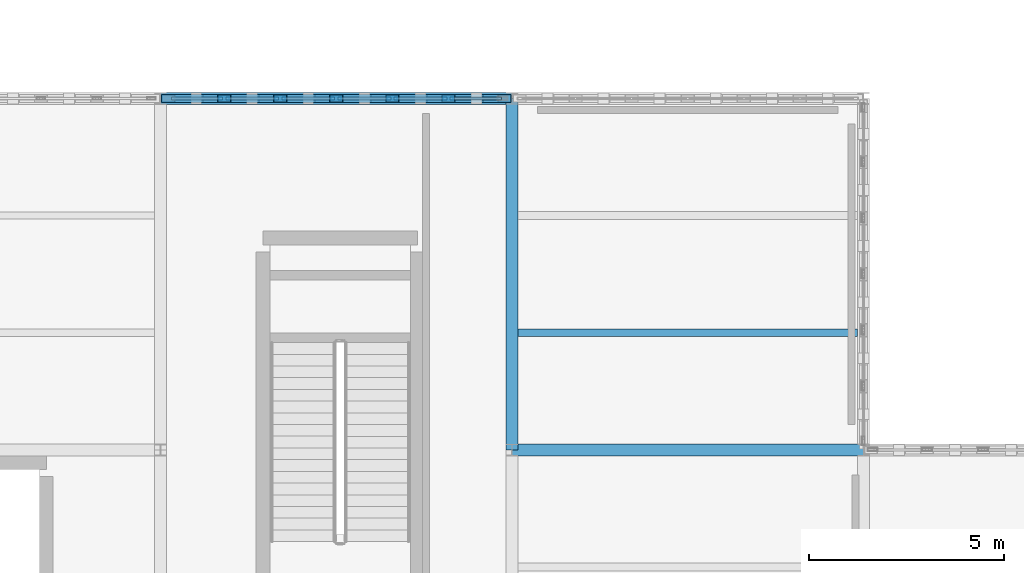
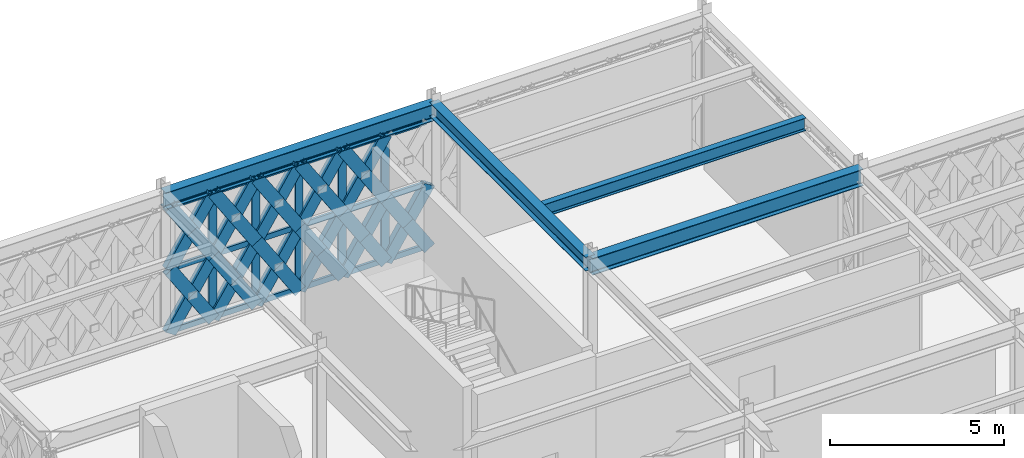
# One storey, part 110 of 155: 56 members, 4 beams, 1 element without a shape of its own.
"""IFC4 building model written with IfcOpenShell, lengths in metres."""

from ifc_helpers import new_model, si_unit, direction, frame, origin, origin_2d, place, context, subcontext, project, spatial, hollow_rectangle, i_section, extrude, material, material_profile, profile_set, type_object, element, aggregate, save


model = new_model("IFC4")

# Units and contexts
model_context = context("Model", 3, precision=1e-05, world=origin(), true_north=direction((0.0, 1.0)))
body_context = subcontext(model_context, "Body", "Model", "MODEL_VIEW")
ifc_project = project(units=[si_unit("LENGTHUNIT", "METRE"), si_unit("AREAUNIT", "SQUARE_METRE"), si_unit("VOLUMEUNIT", "CUBIC_METRE"), si_unit("PLANEANGLEUNIT", "RADIAN"), si_unit("MASSUNIT", "GRAM", prefix="KILO")], contexts=[model_context])

# Site, building, storey
site_placement = place(None, origin())
site = spatial("IfcSite", under=ifc_project, at=site_placement, CompositionType="ELEMENT")
building_placement = place(site_placement, origin())
building = spatial("IfcBuilding", under=site, at=building_placement, Name="Haizhuo Lancet Aquarium", CompositionType="ELEMENT")
storey_placement = place(building_placement, frame((0.0, 0.0, 10.800048828125)))
storey = spatial("IfcBuildingStorey", under=building, at=storey_placement, Name="L02", CompositionType="ELEMENT", Elevation=10.800048828125)

# Beams
ifc_material_1 = material(Name="Steel S355", Category="steel")
ifc_material_profile_1 = material_profile(ifc_material_1, i_section(OverallWidth=0.300048828125, OverallDepth=0.488037109375, WebThickness=0.010986328125, FlangeThickness=0.01806640625, FilletRadius=0.02392578125, at=origin_2d()), Name="HM 488x300x11x18")
ifc_profile_set_1 = profile_set([ifc_material_profile_1], Name="Steel S355")
beam_type_1 = type_object("IfcBeamType", Name="BM-ST-HM488", PredefinedType="BEAM", material=ifc_profile_set_1)
beam_1_placement = place(storey_placement, frame((54.0, 27.0, 4.805908203125), z_axis=(0.0, 1.0, 0.0), x_axis=(-1.0, 0.0, 0.0)))
element("IfcBeam", 1, at=beam_1_placement, inside=storey, type_object=beam_type_1, Name="L02 V7 primary girder BM-L02-V7-018", PredefinedType="BEAM", context=body_context, shape_type="SweptSolid", body=[
    extrude(i_section(OverallWidth=0.300048828125, OverallDepth=0.488037109375, WebThickness=0.010986328125, FlangeThickness=0.01806640625, FilletRadius=0.02392578125, at=origin_2d()), origin(), (0.0, 0.0, 1.0), 9.0),
])
ifc_material_profile_2 = material_profile(ifc_material_1, i_section(OverallWidth=0.300048828125, OverallDepth=0.587890625, WebThickness=0.011962890625, FlangeThickness=0.02001953125, FilletRadius=0.02587890625, at=origin_2d()), Name="HM 588x300x12x20")
ifc_profile_set_2 = profile_set([ifc_material_profile_2], Name="Steel S355")
beam_type_2 = type_object("IfcBeamType", Name="BM-ST-HM588", PredefinedType="BEAM", material=ifc_profile_set_2)
for number, where, z_axis, x_axis, name in (
    (2, (45.0, 36.0, 4.755859375), (1.0, 0.0, 0.0), (0.0, 1.0, 0.0), "L02 V7 primary girder BM-L02-V7-013"),
    (3, (54.0, 27.0, 4.755859375), (1.0, 0.0, 0.0), (0.0, 1.0, 0.0), "L02 V7 primary girder BM-L02-V7-019"),
):
    element("IfcBeam", number, at=place(storey_placement, frame(where, z_axis=z_axis, x_axis=x_axis)), inside=storey, type_object=beam_type_2, Name=name, PredefinedType="BEAM", context=body_context, shape_type="SweptSolid", body=[
        extrude(i_section(OverallWidth=0.300048828125, OverallDepth=0.587890625, WebThickness=0.011962890625, FlangeThickness=0.02001953125, FilletRadius=0.02587890625, at=origin_2d()), origin(), (0.0, 0.0, 1.0), 9.0),
    ])

# Curtain wall, members
ifc_material_2 = material(Name="Aluminium 6063-T6", Category="aluminium")
curtain_wall_type = type_object("IfcCurtainWallType", Name="CWD-8610x4460", PredefinedType="NOTDEFINED", material=ifc_material_2)
curtain_wall_placement = place(storey_placement, origin())
curtain_wall = element("IfcCurtainWall", 4, at=curtain_wall_placement, inside=storey, type_object=curtain_wall_type, Name="L02 curtain wall CW-V7-L02-297", PredefinedType="NOTDEFINED")
ifc_material_profile_3 = material_profile(ifc_material_2, hollow_rectangle(XDim=0.080078125, YDim=0.260009765625, WallThickness=0.0048828125, at=origin_2d()), Name="ALU-M 80x260x5")
ifc_profile_set_3 = profile_set([ifc_material_profile_3], Name="Aluminium 6063-T6")
member_type_1 = type_object("IfcMemberType", Name="CW-MUL-3", PredefinedType="MULLION", material=ifc_profile_set_3)
member_1_placement = place(storey_placement, frame((46.6298828125, 36.0, 0.0), z_axis=(0.0, 0.0, 1.0), x_axis=(0.0, 1.0, 0.0)))
member_1 = element("IfcMember", 5, at=member_1_placement, type_object=member_type_1, Name="CWD-86x44 mullion 2", PredefinedType="MULLION", context=body_context, shape_type="SweptSolid", body=[
    extrude(hollow_rectangle(XDim=0.080078125, YDim=0.260009765625, WallThickness=0.0048828125, at=origin_2d()), origin(), (0.0, 0.0, 1.0), 4.4619140625),
])
member_2_placement = place(storey_placement, frame((48.06494140625, 36.0, 0.0), z_axis=(0.0, 0.0, 1.0), x_axis=(0.0, 1.0, 0.0)))
member_2 = element("IfcMember", 6, at=member_2_placement, type_object=member_type_1, Name="CWD-86x44 mullion 3", PredefinedType="MULLION", context=body_context, shape_type="SweptSolid", body=[
    extrude(hollow_rectangle(XDim=0.080078125, YDim=0.260009765625, WallThickness=0.0048828125, at=origin_2d()), origin(), (0.0, 0.0, 1.0), 4.4619140625),
])
member_3_placement = place(storey_placement, frame((49.5, 36.0, 0.0), z_axis=(0.0, 0.0, 1.0), x_axis=(0.0, 1.0, 0.0)))
member_3 = element("IfcMember", 7, at=member_3_placement, type_object=member_type_1, Name="CWD-86x44 mullion 4", PredefinedType="MULLION", context=body_context, shape_type="SweptSolid", body=[
    extrude(hollow_rectangle(XDim=0.080078125, YDim=0.260009765625, WallThickness=0.0048828125, at=origin_2d()), origin(), (0.0, 0.0, 1.0), 4.4619140625),
])
member_4_placement = place(storey_placement, frame((50.93505859375, 36.0, 0.0), z_axis=(0.0, 0.0, 1.0), x_axis=(0.0, 1.0, 0.0)))
member_4 = element("IfcMember", 8, at=member_4_placement, type_object=member_type_1, Name="CWD-86x44 mullion 5", PredefinedType="MULLION", context=body_context, shape_type="SweptSolid", body=[
    extrude(hollow_rectangle(XDim=0.080078125, YDim=0.260009765625, WallThickness=0.0048828125, at=origin_2d()), origin(), (0.0, 0.0, 1.0), 4.4619140625),
])
member_5_placement = place(storey_placement, frame((52.3701171875, 36.0, 0.0), z_axis=(0.0, 0.0, 1.0), x_axis=(0.0, 1.0, 0.0)))
member_5 = element("IfcMember", 9, at=member_5_placement, type_object=member_type_1, Name="CWD-86x44 mullion 6", PredefinedType="MULLION", context=body_context, shape_type="SweptSolid", body=[
    extrude(hollow_rectangle(XDim=0.080078125, YDim=0.260009765625, WallThickness=0.0048828125, at=origin_2d()), origin(), (0.0, 0.0, 1.0), 4.4619140625),
])
ifc_material_profile_4 = material_profile(ifc_material_2, hollow_rectangle(XDim=0.080078125, YDim=0.18994140625, WallThickness=0.0048828125, at=origin_2d()), Name="ALU-T 80x190x5")
ifc_profile_set_4 = profile_set([ifc_material_profile_4], Name="Aluminium 6063-T6")
member_type_2 = type_object("IfcMemberType", Name="CW-TRN-3", PredefinedType="NOTDEFINED", material=ifc_profile_set_4)
member_6_placement = place(storey_placement, frame((45.27490234375, 36.0, 0.0400390625), z_axis=(1.0, 0.0, 0.0), x_axis=(0.0, 1.0, 0.0)))
member_6 = element("IfcMember", 10, at=member_6_placement, type_object=member_type_2, Name="CWD-86x44 transom 1.1", ObjectType="TRANSOM", PredefinedType="USERDEFINED", context=body_context, shape_type="SweptSolid", body=[
    extrude(hollow_rectangle(XDim=0.080078125, YDim=0.18994140625, WallThickness=0.0048828125, at=origin_2d()), origin(), (0.0, 0.0, 1.0), 1.315185546875),
])
member_7_placement = place(storey_placement, frame((45.27490234375, 36.0, 2.23095703125), z_axis=(1.0, 0.0, 0.0), x_axis=(0.0, 1.0, 0.0)))
member_7 = element("IfcMember", 11, at=member_7_placement, type_object=member_type_2, Name="CWD-86x44 transom 1.2", ObjectType="TRANSOM", PredefinedType="USERDEFINED", context=body_context, shape_type="SweptSolid", body=[
    extrude(hollow_rectangle(XDim=0.080078125, YDim=0.18994140625, WallThickness=0.0048828125, at=origin_2d()), origin(), (0.0, 0.0, 1.0), 1.315185546875),
])
member_8_placement = place(storey_placement, frame((45.27490234375, 36.0, 4.421875), z_axis=(1.0, 0.0, 0.0), x_axis=(0.0, 1.0, 0.0)))
member_8 = element("IfcMember", 12, at=member_8_placement, type_object=member_type_2, Name="CWD-86x44 transom 1.3", ObjectType="TRANSOM", PredefinedType="USERDEFINED", context=body_context, shape_type="SweptSolid", body=[
    extrude(hollow_rectangle(XDim=0.080078125, YDim=0.18994140625, WallThickness=0.0048828125, at=origin_2d()), origin(), (0.0, 0.0, 1.0), 1.315185546875),
])
member_9_placement = place(storey_placement, frame((46.669921875, 36.0, 0.0400390625), z_axis=(1.0, 0.0, 0.0), x_axis=(0.0, 1.0, 0.0)))
member_9 = element("IfcMember", 13, at=member_9_placement, type_object=member_type_2, Name="CWD-86x44 transom 2.1", ObjectType="TRANSOM", PredefinedType="USERDEFINED", context=body_context, shape_type="SweptSolid", body=[
    extrude(hollow_rectangle(XDim=0.080078125, YDim=0.18994140625, WallThickness=0.0048828125, at=origin_2d()), origin(), (0.0, 0.0, 1.0), 1.35498046875),
])
member_10_placement = place(storey_placement, frame((46.669921875, 36.0, 2.23095703125), z_axis=(1.0, 0.0, 0.0), x_axis=(0.0, 1.0, 0.0)))
member_10 = element("IfcMember", 14, at=member_10_placement, type_object=member_type_2, Name="CWD-86x44 transom 2.2", ObjectType="TRANSOM", PredefinedType="USERDEFINED", context=body_context, shape_type="SweptSolid", body=[
    extrude(hollow_rectangle(XDim=0.080078125, YDim=0.18994140625, WallThickness=0.0048828125, at=origin_2d()), origin(), (0.0, 0.0, 1.0), 1.35498046875),
])
member_11_placement = place(storey_placement, frame((46.669921875, 36.0, 4.421875), z_axis=(1.0, 0.0, 0.0), x_axis=(0.0, 1.0, 0.0)))
member_11 = element("IfcMember", 15, at=member_11_placement, type_object=member_type_2, Name="CWD-86x44 transom 2.3", ObjectType="TRANSOM", PredefinedType="USERDEFINED", context=body_context, shape_type="SweptSolid", body=[
    extrude(hollow_rectangle(XDim=0.080078125, YDim=0.18994140625, WallThickness=0.0048828125, at=origin_2d()), origin(), (0.0, 0.0, 1.0), 1.35498046875),
])
member_12_placement = place(storey_placement, frame((48.10498046875, 36.0, 0.0400390625), z_axis=(1.0, 0.0, 0.0), x_axis=(0.0, 1.0, 0.0)))
member_12 = element("IfcMember", 16, at=member_12_placement, type_object=member_type_2, Name="CWD-86x44 transom 3.1", ObjectType="TRANSOM", PredefinedType="USERDEFINED", context=body_context, shape_type="SweptSolid", body=[
    extrude(hollow_rectangle(XDim=0.080078125, YDim=0.18994140625, WallThickness=0.0048828125, at=origin_2d()), origin(), (0.0, 0.0, 1.0), 1.35498046875),
])
member_13_placement = place(storey_placement, frame((48.10498046875, 36.0, 2.23095703125), z_axis=(1.0, 0.0, 0.0), x_axis=(0.0, 1.0, 0.0)))
member_13 = element("IfcMember", 17, at=member_13_placement, type_object=member_type_2, Name="CWD-86x44 transom 3.2", ObjectType="TRANSOM", PredefinedType="USERDEFINED", context=body_context, shape_type="SweptSolid", body=[
    extrude(hollow_rectangle(XDim=0.080078125, YDim=0.18994140625, WallThickness=0.0048828125, at=origin_2d()), origin(), (0.0, 0.0, 1.0), 1.35498046875),
])
member_14_placement = place(storey_placement, frame((48.10498046875, 36.0, 4.421875), z_axis=(1.0, 0.0, 0.0), x_axis=(0.0, 1.0, 0.0)))
member_14 = element("IfcMember", 18, at=member_14_placement, type_object=member_type_2, Name="CWD-86x44 transom 3.3", ObjectType="TRANSOM", PredefinedType="USERDEFINED", context=body_context, shape_type="SweptSolid", body=[
    extrude(hollow_rectangle(XDim=0.080078125, YDim=0.18994140625, WallThickness=0.0048828125, at=origin_2d()), origin(), (0.0, 0.0, 1.0), 1.35498046875),
])
member_15_placement = place(storey_placement, frame((49.5400390625, 36.0, 0.0400390625), z_axis=(1.0, 0.0, 0.0), x_axis=(0.0, 1.0, 0.0)))
member_15 = element("IfcMember", 19, at=member_15_placement, type_object=member_type_2, Name="CWD-86x44 transom 4.1", ObjectType="TRANSOM", PredefinedType="USERDEFINED", context=body_context, shape_type="SweptSolid", body=[
    extrude(hollow_rectangle(XDim=0.080078125, YDim=0.18994140625, WallThickness=0.0048828125, at=origin_2d()), origin(), (0.0, 0.0, 1.0), 1.35498046875),
])
member_16_placement = place(storey_placement, frame((49.5400390625, 36.0, 2.23095703125), z_axis=(1.0, 0.0, 0.0), x_axis=(0.0, 1.0, 0.0)))
member_16 = element("IfcMember", 20, at=member_16_placement, type_object=member_type_2, Name="CWD-86x44 transom 4.2", ObjectType="TRANSOM", PredefinedType="USERDEFINED", context=body_context, shape_type="SweptSolid", body=[
    extrude(hollow_rectangle(XDim=0.080078125, YDim=0.18994140625, WallThickness=0.0048828125, at=origin_2d()), origin(), (0.0, 0.0, 1.0), 1.35498046875),
])
member_17_placement = place(storey_placement, frame((49.5400390625, 36.0, 4.421875), z_axis=(1.0, 0.0, 0.0), x_axis=(0.0, 1.0, 0.0)))
member_17 = element("IfcMember", 21, at=member_17_placement, type_object=member_type_2, Name="CWD-86x44 transom 4.3", ObjectType="TRANSOM", PredefinedType="USERDEFINED", context=body_context, shape_type="SweptSolid", body=[
    extrude(hollow_rectangle(XDim=0.080078125, YDim=0.18994140625, WallThickness=0.0048828125, at=origin_2d()), origin(), (0.0, 0.0, 1.0), 1.35498046875),
])
member_18_placement = place(storey_placement, frame((50.97509765625, 36.0, 0.0400390625), z_axis=(1.0, 0.0, 0.0), x_axis=(0.0, 1.0, 0.0)))
member_18 = element("IfcMember", 22, at=member_18_placement, type_object=member_type_2, Name="CWD-86x44 transom 5.1", ObjectType="TRANSOM", PredefinedType="USERDEFINED", context=body_context, shape_type="SweptSolid", body=[
    extrude(hollow_rectangle(XDim=0.080078125, YDim=0.18994140625, WallThickness=0.0048828125, at=origin_2d()), origin(), (0.0, 0.0, 1.0), 1.35498046875),
])
member_19_placement = place(storey_placement, frame((50.97509765625, 36.0, 2.23095703125), z_axis=(1.0, 0.0, 0.0), x_axis=(0.0, 1.0, 0.0)))
member_19 = element("IfcMember", 23, at=member_19_placement, type_object=member_type_2, Name="CWD-86x44 transom 5.2", ObjectType="TRANSOM", PredefinedType="USERDEFINED", context=body_context, shape_type="SweptSolid", body=[
    extrude(hollow_rectangle(XDim=0.080078125, YDim=0.18994140625, WallThickness=0.0048828125, at=origin_2d()), origin(), (0.0, 0.0, 1.0), 1.35498046875),
])
member_20_placement = place(storey_placement, frame((50.97509765625, 36.0, 4.421875), z_axis=(1.0, 0.0, 0.0), x_axis=(0.0, 1.0, 0.0)))
member_20 = element("IfcMember", 24, at=member_20_placement, type_object=member_type_2, Name="CWD-86x44 transom 5.3", ObjectType="TRANSOM", PredefinedType="USERDEFINED", context=body_context, shape_type="SweptSolid", body=[
    extrude(hollow_rectangle(XDim=0.080078125, YDim=0.18994140625, WallThickness=0.0048828125, at=origin_2d()), origin(), (0.0, 0.0, 1.0), 1.35498046875),
])
member_21_placement = place(storey_placement, frame((52.409912109375, 36.0, 0.0400390625), z_axis=(1.0, 0.0, 0.0), x_axis=(0.0, 1.0, 0.0)))
member_21 = element("IfcMember", 25, at=member_21_placement, type_object=member_type_2, Name="CWD-86x44 transom 6.1", ObjectType="TRANSOM", PredefinedType="USERDEFINED", context=body_context, shape_type="SweptSolid", body=[
    extrude(hollow_rectangle(XDim=0.080078125, YDim=0.18994140625, WallThickness=0.0048828125, at=origin_2d()), origin(), (0.0, 0.0, 1.0), 1.315185546875),
])
member_22_placement = place(storey_placement, frame((52.409912109375, 36.0, 2.23095703125), z_axis=(1.0, 0.0, 0.0), x_axis=(0.0, 1.0, 0.0)))
member_22 = element("IfcMember", 26, at=member_22_placement, type_object=member_type_2, Name="CWD-86x44 transom 6.2", ObjectType="TRANSOM", PredefinedType="USERDEFINED", context=body_context, shape_type="SweptSolid", body=[
    extrude(hollow_rectangle(XDim=0.080078125, YDim=0.18994140625, WallThickness=0.0048828125, at=origin_2d()), origin(), (0.0, 0.0, 1.0), 1.315185546875),
])
member_23_placement = place(storey_placement, frame((52.409912109375, 36.0, 4.421875), z_axis=(1.0, 0.0, 0.0), x_axis=(0.0, 1.0, 0.0)))
member_23 = element("IfcMember", 27, at=member_23_placement, type_object=member_type_2, Name="CWD-86x44 transom 6.3", ObjectType="TRANSOM", PredefinedType="USERDEFINED", context=body_context, shape_type="SweptSolid", body=[
    extrude(hollow_rectangle(XDim=0.080078125, YDim=0.18994140625, WallThickness=0.0048828125, at=origin_2d()), origin(), (0.0, 0.0, 1.0), 1.315185546875),
])
aggregate(curtain_wall, [member_1, member_2, member_3, member_4, member_5, member_6, member_7, member_8, member_9, member_10, member_11, member_12, member_13, member_14, member_15, member_16, member_17, member_18, member_19, member_20, member_21, member_22, member_23])

# Beam
ifc_material_profile_5 = material_profile(ifc_material_1, i_section(OverallWidth=0.199951171875, OverallDepth=0.449951171875, WebThickness=0.009033203125, FlangeThickness=0.013916015625, FilletRadius=0.01806640625, at=origin_2d()), Name="HN 450x200x9x14")
ifc_profile_set_5 = profile_set([ifc_material_profile_5], Name="Steel S355")
beam_type_3 = type_object("IfcBeamType", Name="JST-ST-HN450", PredefinedType="JOIST", material=ifc_profile_set_5)
beam_2_placement = place(storey_placement, frame((54.14990234375, 30.0, 4.824951171875), z_axis=(1.0, 0.0, 0.0), x_axis=(0.0, 1.0, 0.0)))
element("IfcBeam", 28, at=beam_2_placement, inside=storey, type_object=beam_type_3, Name="L02 V7 secondary floor joist 13", PredefinedType="JOIST", context=body_context, shape_type="SweptSolid", body=[
    extrude(i_section(OverallWidth=0.199951171875, OverallDepth=0.449951171875, WebThickness=0.009033203125, FlangeThickness=0.013916015625, FilletRadius=0.01806640625, at=origin_2d()), origin(), (0.0, 0.0, 1.0), 8.7001953125),
])

# Members
ifc_material_profile_6 = material_profile(ifc_material_1, hollow_rectangle(XDim=0.199951171875, YDim=0.39990234375, WallThickness=0.011962890625, at=origin_2d()), Name="RHS 200x400x12")
ifc_profile_set_6 = profile_set([ifc_material_profile_6], Name="Steel S355")
member_type_3 = type_object("IfcMemberType", Name="MEM-LB-RHS200x400", PredefinedType="BRACE", material=ifc_profile_set_6)
member_24_placement = place(storey_placement, frame((45.195068359375, 36.0, 0.0), z_axis=(0.540925048726, 0.0, 0.841070800623), x_axis=(0.0, 1.0, 0.0)))
element("IfcMember", 29, at=member_24_placement, inside=storey, type_object=member_type_3, Name="Gothic lancet continuous diagonal brace CW-V7-L02-297 1A", PredefinedType="BRACE", context=body_context, shape_type="SweptSolid", body=[
    extrude(hollow_rectangle(XDim=0.199951171875, YDim=0.39990234375, WallThickness=0.011962890625, at=origin_2d()), origin(), (0.0, 0.0, 1.0), 2.652587890625),
])
member_25_placement = place(storey_placement, frame((46.6298828125, 36.0, 0.0), z_axis=(-0.540431938152, 0.0, 0.841387734772), x_axis=(0.0, -1.0, 0.0)))
element("IfcMember", 30, at=member_25_placement, inside=storey, type_object=member_type_3, Name="Gothic lancet split diagonal brace CW-V7-L02-297 1B1", PredefinedType="BRACE", context=body_context, shape_type="SweptSolid", body=[
    extrude(hollow_rectangle(XDim=0.199951171875, YDim=0.39990234375, WallThickness=0.011962890625, at=origin_2d()), origin(), (0.0, 0.0, 1.0), 1.326416015625),
])
member_26_placement = place(storey_placement, frame((45.9130859375, 36.0, 1.115966796875), z_axis=(-0.541418033285, 0.0, 0.840753538936), x_axis=(0.0, -1.0, 0.0)))
element("IfcMember", 31, at=member_26_placement, inside=storey, type_object=member_type_3, Name="Gothic lancet split diagonal brace CW-V7-L02-297 1B2", PredefinedType="BRACE", context=body_context, shape_type="SweptSolid", body=[
    extrude(hollow_rectangle(XDim=0.199951171875, YDim=0.39990234375, WallThickness=0.011962890625, at=origin_2d()), origin(), (0.0, 0.0, 1.0), 1.326171875),
])
member_27_placement = place(storey_placement, frame((45.195068359375, 36.0, 2.23095703125), z_axis=(0.540925048726, 0.0, 0.841070800623), x_axis=(0.0, 1.0, 0.0)))
element("IfcMember", 32, at=member_27_placement, inside=storey, type_object=member_type_3, Name="Gothic lancet continuous diagonal brace CW-V7-L02-297 2A", PredefinedType="BRACE", context=body_context, shape_type="SweptSolid", body=[
    extrude(hollow_rectangle(XDim=0.199951171875, YDim=0.39990234375, WallThickness=0.011962890625, at=origin_2d()), origin(), (0.0, 0.0, 1.0), 2.652587890625),
])
member_28_placement = place(storey_placement, frame((46.6298828125, 36.0, 2.23095703125), z_axis=(-0.540766900265, 0.0, 0.841172490978), x_axis=(0.0, -1.0, 0.0)))
element("IfcMember", 33, at=member_28_placement, inside=storey, type_object=member_type_3, Name="Gothic lancet split diagonal brace CW-V7-L02-297 2B1", PredefinedType="BRACE", context=body_context, shape_type="SweptSolid", body=[
    extrude(hollow_rectangle(XDim=0.199951171875, YDim=0.39990234375, WallThickness=0.011962890625, at=origin_2d()), origin(), (0.0, 0.0, 1.0), 1.325439453125),
])
member_29_placement = place(storey_placement, frame((45.9130859375, 36.0, 3.345947265625), z_axis=(-0.541083001516, 0.0, 0.840969194127), x_axis=(0.0, -1.0, 0.0)))
element("IfcMember", 34, at=member_29_placement, inside=storey, type_object=member_type_3, Name="Gothic lancet split diagonal brace CW-V7-L02-297 2B2", PredefinedType="BRACE", context=body_context, shape_type="SweptSolid", body=[
    extrude(hollow_rectangle(XDim=0.199951171875, YDim=0.39990234375, WallThickness=0.011962890625, at=origin_2d()), origin(), (0.0, 0.0, 1.0), 1.326904296875),
])
member_30_placement = place(storey_placement, frame((46.6298828125, 36.0, 0.0), z_axis=(0.540990153687, 0.0, 0.841028925551), x_axis=(0.0, 1.0, 0.0)))
element("IfcMember", 35, at=member_30_placement, inside=storey, type_object=member_type_3, Name="Gothic lancet continuous diagonal brace CW-V7-L02-297 3A", PredefinedType="BRACE", context=body_context, shape_type="SweptSolid", body=[
    extrude(hollow_rectangle(XDim=0.199951171875, YDim=0.39990234375, WallThickness=0.011962890625, at=origin_2d()), origin(), (0.0, 0.0, 1.0), 2.652587890625),
])
member_31_placement = place(storey_placement, frame((48.06494140625, 36.0, 0.0), z_axis=(-0.541083001516, 0.0, 0.840969194127), x_axis=(0.0, -1.0, 0.0)))
element("IfcMember", 36, at=member_31_placement, inside=storey, type_object=member_type_3, Name="Gothic lancet split diagonal brace CW-V7-L02-297 3B1", PredefinedType="BRACE", context=body_context, shape_type="SweptSolid", body=[
    extrude(hollow_rectangle(XDim=0.199951171875, YDim=0.39990234375, WallThickness=0.011962890625, at=origin_2d()), origin(), (0.0, 0.0, 1.0), 1.326904296875),
])
member_32_placement = place(storey_placement, frame((47.346923828125, 36.0, 1.115966796875), z_axis=(-0.540897204727, 0.0, 0.841088707521), x_axis=(0.0, -1.0, 0.0)))
element("IfcMember", 37, at=member_32_placement, inside=storey, type_object=member_type_3, Name="Gothic lancet split diagonal brace CW-V7-L02-297 3B2", PredefinedType="BRACE", context=body_context, shape_type="SweptSolid", body=[
    extrude(hollow_rectangle(XDim=0.199951171875, YDim=0.39990234375, WallThickness=0.011962890625, at=origin_2d()), origin(), (0.0, 0.0, 1.0), 1.32568359375),
])
member_33_placement = place(storey_placement, frame((46.6298828125, 36.0, 2.23095703125), z_axis=(0.540990153687, 0.0, 0.841028925551), x_axis=(0.0, 1.0, 0.0)))
element("IfcMember", 38, at=member_33_placement, inside=storey, type_object=member_type_3, Name="Gothic lancet continuous diagonal brace CW-V7-L02-297 4A", PredefinedType="BRACE", context=body_context, shape_type="SweptSolid", body=[
    extrude(hollow_rectangle(XDim=0.199951171875, YDim=0.39990234375, WallThickness=0.011962890625, at=origin_2d()), origin(), (0.0, 0.0, 1.0), 2.652587890625),
])
member_34_placement = place(storey_placement, frame((48.06494140625, 36.0, 2.23095703125), z_axis=(-0.541418033285, 0.0, 0.840753538936), x_axis=(0.0, -1.0, 0.0)))
element("IfcMember", 39, at=member_34_placement, inside=storey, type_object=member_type_3, Name="Gothic lancet split diagonal brace CW-V7-L02-297 4B1", PredefinedType="BRACE", context=body_context, shape_type="SweptSolid", body=[
    extrude(hollow_rectangle(XDim=0.199951171875, YDim=0.39990234375, WallThickness=0.011962890625, at=origin_2d()), origin(), (0.0, 0.0, 1.0), 1.326171875),
])
member_35_placement = place(storey_placement, frame((47.346923828125, 36.0, 3.345947265625), z_axis=(-0.540562228578, 0.0, 0.84130403365), x_axis=(0.0, -1.0, 0.0)))
element("IfcMember", 40, at=member_35_placement, inside=storey, type_object=member_type_3, Name="Gothic lancet split diagonal brace CW-V7-L02-297 4B2", PredefinedType="BRACE", context=body_context, shape_type="SweptSolid", body=[
    extrude(hollow_rectangle(XDim=0.199951171875, YDim=0.39990234375, WallThickness=0.011962890625, at=origin_2d()), origin(), (0.0, 0.0, 1.0), 1.326416015625),
])
member_36_placement = place(storey_placement, frame((48.06494140625, 36.0, 0.0), z_axis=(0.540990153687, 0.0, 0.841028925551), x_axis=(0.0, 1.0, 0.0)))
element("IfcMember", 41, at=member_36_placement, inside=storey, type_object=member_type_3, Name="Gothic lancet continuous diagonal brace CW-V7-L02-297 5A", PredefinedType="BRACE", context=body_context, shape_type="SweptSolid", body=[
    extrude(hollow_rectangle(XDim=0.199951171875, YDim=0.39990234375, WallThickness=0.011962890625, at=origin_2d()), origin(), (0.0, 0.0, 1.0), 2.652587890625),
])
member_37_placement = place(storey_placement, frame((49.5, 36.0, 0.0), z_axis=(-0.541083001516, 0.0, 0.840969194127), x_axis=(0.0, -1.0, 0.0)))
element("IfcMember", 42, at=member_37_placement, inside=storey, type_object=member_type_3, Name="Gothic lancet split diagonal brace CW-V7-L02-297 5B1", PredefinedType="BRACE", context=body_context, shape_type="SweptSolid", body=[
    extrude(hollow_rectangle(XDim=0.199951171875, YDim=0.39990234375, WallThickness=0.011962890625, at=origin_2d()), origin(), (0.0, 0.0, 1.0), 1.326904296875),
])
member_38_placement = place(storey_placement, frame((48.781982421875, 36.0, 1.115966796875), z_axis=(-0.540897204727, 0.0, 0.841088707521), x_axis=(0.0, -1.0, 0.0)))
element("IfcMember", 43, at=member_38_placement, inside=storey, type_object=member_type_3, Name="Gothic lancet split diagonal brace CW-V7-L02-297 5B2", PredefinedType="BRACE", context=body_context, shape_type="SweptSolid", body=[
    extrude(hollow_rectangle(XDim=0.199951171875, YDim=0.39990234375, WallThickness=0.011962890625, at=origin_2d()), origin(), (0.0, 0.0, 1.0), 1.32568359375),
])
member_39_placement = place(storey_placement, frame((48.06494140625, 36.0, 2.23095703125), z_axis=(0.540990153687, 0.0, 0.841028925551), x_axis=(0.0, 1.0, 0.0)))
element("IfcMember", 44, at=member_39_placement, inside=storey, type_object=member_type_3, Name="Gothic lancet continuous diagonal brace CW-V7-L02-297 6A", PredefinedType="BRACE", context=body_context, shape_type="SweptSolid", body=[
    extrude(hollow_rectangle(XDim=0.199951171875, YDim=0.39990234375, WallThickness=0.011962890625, at=origin_2d()), origin(), (0.0, 0.0, 1.0), 2.652587890625),
])
member_40_placement = place(storey_placement, frame((49.5, 36.0, 2.23095703125), z_axis=(-0.541418033285, 0.0, 0.840753538936), x_axis=(0.0, -1.0, 0.0)))
element("IfcMember", 45, at=member_40_placement, inside=storey, type_object=member_type_3, Name="Gothic lancet split diagonal brace CW-V7-L02-297 6B1", PredefinedType="BRACE", context=body_context, shape_type="SweptSolid", body=[
    extrude(hollow_rectangle(XDim=0.199951171875, YDim=0.39990234375, WallThickness=0.011962890625, at=origin_2d()), origin(), (0.0, 0.0, 1.0), 1.326171875),
])
member_41_placement = place(storey_placement, frame((48.781982421875, 36.0, 3.345947265625), z_axis=(-0.540562228578, 0.0, 0.84130403365), x_axis=(0.0, -1.0, 0.0)))
element("IfcMember", 46, at=member_41_placement, inside=storey, type_object=member_type_3, Name="Gothic lancet split diagonal brace CW-V7-L02-297 6B2", PredefinedType="BRACE", context=body_context, shape_type="SweptSolid", body=[
    extrude(hollow_rectangle(XDim=0.199951171875, YDim=0.39990234375, WallThickness=0.011962890625, at=origin_2d()), origin(), (0.0, 0.0, 1.0), 1.326416015625),
])
member_42_placement = place(storey_placement, frame((49.5, 36.0, 0.0), z_axis=(0.540990153687, 0.0, 0.841028925551), x_axis=(0.0, 1.0, 0.0)))
element("IfcMember", 47, at=member_42_placement, inside=storey, type_object=member_type_3, Name="Gothic lancet continuous diagonal brace CW-V7-L02-297 7A", PredefinedType="BRACE", context=body_context, shape_type="SweptSolid", body=[
    extrude(hollow_rectangle(XDim=0.199951171875, YDim=0.39990234375, WallThickness=0.011962890625, at=origin_2d()), origin(), (0.0, 0.0, 1.0), 2.652587890625),
])
member_43_placement = place(storey_placement, frame((50.93505859375, 36.0, 0.0), z_axis=(-0.540562228578, 0.0, 0.84130403365), x_axis=(0.0, -1.0, 0.0)))
element("IfcMember", 48, at=member_43_placement, inside=storey, type_object=member_type_3, Name="Gothic lancet split diagonal brace CW-V7-L02-297 7B1", PredefinedType="BRACE", context=body_context, shape_type="SweptSolid", body=[
    extrude(hollow_rectangle(XDim=0.199951171875, YDim=0.39990234375, WallThickness=0.011962890625, at=origin_2d()), origin(), (0.0, 0.0, 1.0), 1.326416015625),
])
member_44_placement = place(storey_placement, frame((50.218017578125, 36.0, 1.115966796875), z_axis=(-0.541418033285, 0.0, 0.840753538936), x_axis=(0.0, -1.0, 0.0)))
element("IfcMember", 49, at=member_44_placement, inside=storey, type_object=member_type_3, Name="Gothic lancet split diagonal brace CW-V7-L02-297 7B2", PredefinedType="BRACE", context=body_context, shape_type="SweptSolid", body=[
    extrude(hollow_rectangle(XDim=0.199951171875, YDim=0.39990234375, WallThickness=0.011962890625, at=origin_2d()), origin(), (0.0, 0.0, 1.0), 1.326171875),
])
member_45_placement = place(storey_placement, frame((49.5, 36.0, 2.23095703125), z_axis=(0.540990153687, 0.0, 0.841028925551), x_axis=(0.0, 1.0, 0.0)))
element("IfcMember", 50, at=member_45_placement, inside=storey, type_object=member_type_3, Name="Gothic lancet continuous diagonal brace CW-V7-L02-297 8A", PredefinedType="BRACE", context=body_context, shape_type="SweptSolid", body=[
    extrude(hollow_rectangle(XDim=0.199951171875, YDim=0.39990234375, WallThickness=0.011962890625, at=origin_2d()), origin(), (0.0, 0.0, 1.0), 2.652587890625),
])
member_46_placement = place(storey_placement, frame((50.93505859375, 36.0, 2.23095703125), z_axis=(-0.540897204727, 0.0, 0.841088707521), x_axis=(0.0, -1.0, 0.0)))
element("IfcMember", 51, at=member_46_placement, inside=storey, type_object=member_type_3, Name="Gothic lancet split diagonal brace CW-V7-L02-297 8B1", PredefinedType="BRACE", context=body_context, shape_type="SweptSolid", body=[
    extrude(hollow_rectangle(XDim=0.199951171875, YDim=0.39990234375, WallThickness=0.011962890625, at=origin_2d()), origin(), (0.0, 0.0, 1.0), 1.32568359375),
])
member_47_placement = place(storey_placement, frame((50.218017578125, 36.0, 3.345947265625), z_axis=(-0.541083001516, 0.0, 0.840969194127), x_axis=(0.0, -1.0, 0.0)))
element("IfcMember", 52, at=member_47_placement, inside=storey, type_object=member_type_3, Name="Gothic lancet split diagonal brace CW-V7-L02-297 8B2", PredefinedType="BRACE", context=body_context, shape_type="SweptSolid", body=[
    extrude(hollow_rectangle(XDim=0.199951171875, YDim=0.39990234375, WallThickness=0.011962890625, at=origin_2d()), origin(), (0.0, 0.0, 1.0), 1.326904296875),
])
member_48_placement = place(storey_placement, frame((50.93505859375, 36.0, 0.0), z_axis=(0.540990153687, 0.0, 0.841028925551), x_axis=(0.0, 1.0, 0.0)))
element("IfcMember", 53, at=member_48_placement, inside=storey, type_object=member_type_3, Name="Gothic lancet continuous diagonal brace CW-V7-L02-297 9A", PredefinedType="BRACE", context=body_context, shape_type="SweptSolid", body=[
    extrude(hollow_rectangle(XDim=0.199951171875, YDim=0.39990234375, WallThickness=0.011962890625, at=origin_2d()), origin(), (0.0, 0.0, 1.0), 2.652587890625),
])
member_49_placement = place(storey_placement, frame((52.3701171875, 36.0, 0.0), z_axis=(-0.540562228578, 0.0, 0.84130403365), x_axis=(0.0, -1.0, 0.0)))
element("IfcMember", 54, at=member_49_placement, inside=storey, type_object=member_type_3, Name="Gothic lancet split diagonal brace CW-V7-L02-297 9B1", PredefinedType="BRACE", context=body_context, shape_type="SweptSolid", body=[
    extrude(hollow_rectangle(XDim=0.199951171875, YDim=0.39990234375, WallThickness=0.011962890625, at=origin_2d()), origin(), (0.0, 0.0, 1.0), 1.326416015625),
])
member_50_placement = place(storey_placement, frame((51.653076171875, 36.0, 1.115966796875), z_axis=(-0.541418033285, 0.0, 0.840753538936), x_axis=(0.0, -1.0, 0.0)))
element("IfcMember", 55, at=member_50_placement, inside=storey, type_object=member_type_3, Name="Gothic lancet split diagonal brace CW-V7-L02-297 9B2", PredefinedType="BRACE", context=body_context, shape_type="SweptSolid", body=[
    extrude(hollow_rectangle(XDim=0.199951171875, YDim=0.39990234375, WallThickness=0.011962890625, at=origin_2d()), origin(), (0.0, 0.0, 1.0), 1.326171875),
])
member_51_placement = place(storey_placement, frame((50.93505859375, 36.0, 2.23095703125), z_axis=(0.540990153687, 0.0, 0.841028925551), x_axis=(0.0, 1.0, 0.0)))
element("IfcMember", 56, at=member_51_placement, inside=storey, type_object=member_type_3, Name="Gothic lancet continuous diagonal brace CW-V7-L02-297 10A", PredefinedType="BRACE", context=body_context, shape_type="SweptSolid", body=[
    extrude(hollow_rectangle(XDim=0.199951171875, YDim=0.39990234375, WallThickness=0.011962890625, at=origin_2d()), origin(), (0.0, 0.0, 1.0), 2.652587890625),
])
member_52_placement = place(storey_placement, frame((52.3701171875, 36.0, 2.23095703125), z_axis=(-0.540897204727, 0.0, 0.841088707521), x_axis=(0.0, -1.0, 0.0)))
element("IfcMember", 57, at=member_52_placement, inside=storey, type_object=member_type_3, Name="Gothic lancet split diagonal brace CW-V7-L02-297 10B1", PredefinedType="BRACE", context=body_context, shape_type="SweptSolid", body=[
    extrude(hollow_rectangle(XDim=0.199951171875, YDim=0.39990234375, WallThickness=0.011962890625, at=origin_2d()), origin(), (0.0, 0.0, 1.0), 1.32568359375),
])
member_53_placement = place(storey_placement, frame((51.653076171875, 36.0, 3.345947265625), z_axis=(-0.541083001516, 0.0, 0.840969194127), x_axis=(0.0, -1.0, 0.0)))
element("IfcMember", 58, at=member_53_placement, inside=storey, type_object=member_type_3, Name="Gothic lancet split diagonal brace CW-V7-L02-297 10B2", PredefinedType="BRACE", context=body_context, shape_type="SweptSolid", body=[
    extrude(hollow_rectangle(XDim=0.199951171875, YDim=0.39990234375, WallThickness=0.011962890625, at=origin_2d()), origin(), (0.0, 0.0, 1.0), 1.326904296875),
])
member_54_placement = place(storey_placement, frame((52.3701171875, 36.0, 0.0), z_axis=(0.540925048726, 0.0, 0.841070800623), x_axis=(0.0, 1.0, 0.0)))
element("IfcMember", 59, at=member_54_placement, inside=storey, type_object=member_type_3, Name="Gothic lancet continuous diagonal brace CW-V7-L02-297 11A", PredefinedType="BRACE", context=body_context, shape_type="SweptSolid", body=[
    extrude(hollow_rectangle(XDim=0.199951171875, YDim=0.39990234375, WallThickness=0.011962890625, at=origin_2d()), origin(), (0.0, 0.0, 1.0), 2.652587890625),
])
member_55_placement = place(storey_placement, frame((53.804931640625, 36.0, 0.0), z_axis=(-0.541083001516, 0.0, 0.840969194127), x_axis=(0.0, -1.0, 0.0)))
element("IfcMember", 60, at=member_55_placement, inside=storey, type_object=member_type_3, Name="Gothic lancet split diagonal brace CW-V7-L02-297 11B1", PredefinedType="BRACE", context=body_context, shape_type="SweptSolid", body=[
    extrude(hollow_rectangle(XDim=0.199951171875, YDim=0.39990234375, WallThickness=0.011962890625, at=origin_2d()), origin(), (0.0, 0.0, 1.0), 1.326904296875),
])
member_56_placement = place(storey_placement, frame((53.0869140625, 36.0, 1.115966796875), z_axis=(-0.540766900265, 0.0, 0.841172490978), x_axis=(0.0, -1.0, 0.0)))
element("IfcMember", 61, at=member_56_placement, inside=storey, type_object=member_type_3, Name="Gothic lancet split diagonal brace CW-V7-L02-297 11B2", PredefinedType="BRACE", context=body_context, shape_type="SweptSolid", body=[
    extrude(hollow_rectangle(XDim=0.199951171875, YDim=0.39990234375, WallThickness=0.011962890625, at=origin_2d()), origin(), (0.0, 0.0, 1.0), 1.325439453125),
])

save(model, "model.ifc")
